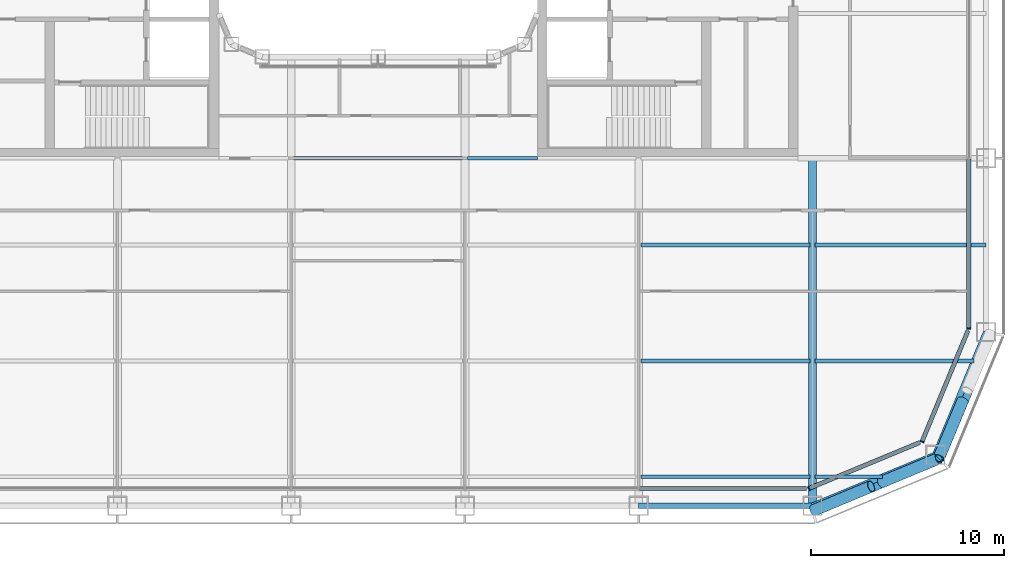
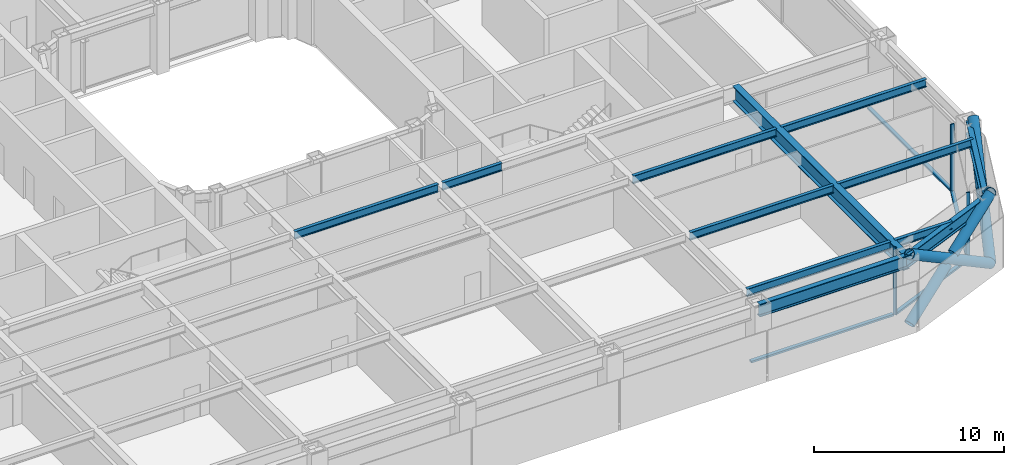
# One storey, part 4 of 29: 12 beams, 12 members, 4 elements without a shape of their own.
"""IFC4 building model written with IfcOpenShell, lengths in metres."""

from ifc_helpers import new_model, si_unit, direction, frame, origin, origin_2d, place, context, subcontext, project, spatial, rectangle, hollow_circle, i_section, extrude, material, layer, layer_set, material_profile, profile_set, type_object, element, aggregate, save


model = new_model("IFC4")

# Units and contexts
model_context = context("Model", 3, precision=1e-05, world=origin(), true_north=direction((0.0, 1.0)))
body_context = subcontext(model_context, "Body", "Model", "MODEL_VIEW")
ifc_project = project(units=[si_unit("LENGTHUNIT", "METRE"), si_unit("AREAUNIT", "SQUARE_METRE"), si_unit("VOLUMEUNIT", "CUBIC_METRE"), si_unit("PLANEANGLEUNIT", "RADIAN"), si_unit("MASSUNIT", "GRAM", prefix="KILO")], contexts=[model_context])

# Site, building, storey
site_placement = place(None, origin())
site = spatial("IfcSite", under=ifc_project, at=site_placement, CompositionType="ELEMENT")
building_placement = place(site_placement, origin())
building = spatial("IfcBuilding", under=site, at=building_placement, Name="Siwar Civic Tower", CompositionType="ELEMENT")
storey_placement = place(building_placement, frame((0.0, 0.0, 67.199951171875)))
storey = spatial("IfcBuildingStorey", under=building, at=storey_placement, Name="L14", CompositionType="ELEMENT", Elevation=67.199951171875)

# Curtain wall, member
ifc_material_1 = material(Name="Aluminium clad insulated panel", Category="aluminium")
ifc_layer_1 = layer(ifc_material_1, 0.219970703125)
ifc_layer_set_1 = layer_set([ifc_layer_1], Name="Aluminium clad insulated panel")
curtain_wall_type_1 = type_object("IfcCurtainWallType", Name="ENV-CW-AX", PredefinedType="NOTDEFINED", material=ifc_layer_set_1)
curtain_wall_1_placement = place(storey_placement, origin())
curtain_wall_1 = element("IfcCurtainWall", 1, at=curtain_wall_1_placement, inside=storey, type_object=curtain_wall_type_1, Name="Curtain wall A SE1", PredefinedType="NOTDEFINED")
ifc_material_2 = material(Name="Aluminium 6063-T6", Category="aluminium")
ifc_material_profile_1 = material_profile(ifc_material_2, rectangle(XDim=0.219970703125, YDim=0.070068359375, at=origin_2d()), Name="AL 220x70")
ifc_profile_set_1 = profile_set([ifc_material_profile_1], Name="Aluminium 6063-T6")
member_type_1 = type_object("IfcMemberType", Name="ENV-MULLION-A", PredefinedType="MULLION", material=ifc_profile_set_1)
member_1_placement = place(storey_placement, frame((22.321044921875, -30.60009765625, 0.0), z_axis=(0.0, 0.0, 1.0), x_axis=(-0.382683432365, 0.923879532511, 0.0)))
member_1 = element("IfcMember", 2, at=member_1_placement, type_object=member_type_1, Name="Mullion A SE1 1", PredefinedType="MULLION", context=body_context, shape_type="SweptSolid", body=[
    extrude(rectangle(XDim=0.219970703125, YDim=0.070068359375, at=origin_2d()), origin(), (0.0, 0.0, 1.0), 4.35009765625),
])

curtain_wall_2_placement = place(storey_placement, origin())
curtain_wall_2 = element("IfcCurtainWall", 3, at=curtain_wall_2_placement, inside=storey, type_object=curtain_wall_type_1, Name="Curtain wall A SE2", PredefinedType="NOTDEFINED")
member_2_placement = place(storey_placement, frame((28.175048828125, -28.175048828125, 0.0), z_axis=(0.0, 0.0, 1.0), x_axis=(-0.923879532511, 0.382683432365, 0.0)))
member_2 = element("IfcMember", 4, at=member_2_placement, type_object=member_type_1, Name="Mullion A SE2 1", PredefinedType="MULLION", context=body_context, shape_type="SweptSolid", body=[
    extrude(rectangle(XDim=0.219970703125, YDim=0.070068359375, at=origin_2d()), origin(), (0.0, 0.0, 1.0), 4.35009765625),
])

ifc_material_3 = material(Name="Aluminium and glass", Category="aluminium")
ifc_layer_2 = layer(ifc_material_3, 0.219970703125)
ifc_layer_set_2 = layer_set([ifc_layer_2], Name="Aluminium and glass")
curtain_wall_type_2 = type_object("IfcCurtainWallType", Name="ENV-CW-A", PredefinedType="NOTDEFINED", material=ifc_layer_set_2)
curtain_wall_3_placement = place(storey_placement, origin())
curtain_wall_3 = element("IfcCurtainWall", 5, at=curtain_wall_3_placement, inside=storey, type_object=curtain_wall_type_2, Name="Curtain wall A E", PredefinedType="NOTDEFINED")
member_3_placement = place(storey_placement, frame((30.60009765625, -22.321044921875, 0.0), z_axis=(0.0, 0.0, 1.0), x_axis=(-1.0, 0.0, 0.0)))
member_3 = element("IfcMember", 6, at=member_3_placement, type_object=member_type_1, Name="Mullion A E 1", PredefinedType="MULLION", context=body_context, shape_type="SweptSolid", body=[
    extrude(rectangle(XDim=0.219970703125, YDim=0.070068359375, at=origin_2d()), origin(), (0.0, 0.0, 1.0), 4.35009765625),
])

curtain_wall_4_placement = place(storey_placement, origin())
curtain_wall_4 = element("IfcCurtainWall", 7, at=curtain_wall_4_placement, inside=storey, type_object=curtain_wall_type_2, Name="Curtain wall A S", PredefinedType="NOTDEFINED")
ifc_material_4 = material(Name="Aluminium 6063-T6", Category="aluminium")
ifc_material_profile_2 = material_profile(ifc_material_4, rectangle(XDim=0.219970703125, YDim=0.1201171875, at=origin_2d()), Name="AL 220x120")
ifc_profile_set_2 = profile_set([ifc_material_profile_2], Name="Aluminium 6063-T6")
member_type_2 = type_object("IfcMemberType", Name="ENV-TRANSOM-A", PredefinedType="USERDEFINED", material=ifc_profile_set_2)
member_4_placement = place(storey_placement, frame((13.534912109375, -30.60009765625, 0.06005859375), z_axis=(1.0, 0.0, 0.0), x_axis=(0.0, 1.0, 0.0)))
member_4 = element("IfcMember", 8, at=member_4_placement, type_object=member_type_2, Name="Transom A S 5", ObjectType="TRANSOM", PredefinedType="USERDEFINED", context=body_context, shape_type="SweptSolid", body=[
    extrude(rectangle(XDim=0.219970703125, YDim=0.1201171875, at=origin_2d()), origin(), (0.0, 0.0, 1.0), 8.66357421875),
])
aggregate(curtain_wall_4, [member_4])

# Member
member_5_placement = place(storey_placement, frame((22.353271484375, -30.586669921875, 0.06005859375), z_axis=(0.923873326341, 0.382698415042, 0.0), x_axis=(-0.382698415042, 0.923873326341, 0.0)))
member_5 = element("IfcMember", 9, at=member_5_placement, type_object=member_type_2, Name="Transom A SE1 1", ObjectType="TRANSOM", PredefinedType="USERDEFINED", context=body_context, shape_type="SweptSolid", body=[
    extrude(rectangle(XDim=0.219970703125, YDim=0.1201171875, at=origin_2d()), origin(), (0.0, 0.0, 1.0), 6.17919921875),
])

aggregate(curtain_wall_1, [member_1, member_5])

member_6_placement = place(storey_placement, frame((28.1884765625, -28.142822265625, 0.06005859375), z_axis=(0.382698415042, 0.923873326341, 0.0), x_axis=(-0.923873326341, 0.382698415042, 0.0)))
member_6 = element("IfcMember", 10, at=member_6_placement, type_object=member_type_2, Name="Transom A SE2 1", ObjectType="TRANSOM", PredefinedType="USERDEFINED", context=body_context, shape_type="SweptSolid", body=[
    extrude(rectangle(XDim=0.219970703125, YDim=0.1201171875, at=origin_2d()), origin(), (0.0, 0.0, 1.0), 6.17919921875),
])

aggregate(curtain_wall_2, [member_2, member_6])

member_7_placement = place(storey_placement, frame((30.60009765625, -22.285888671875, 0.06005859375), z_axis=(0.0, 1.0, 0.0), x_axis=(-1.0, 0.0, 0.0)))
member_7 = element("IfcMember", 11, at=member_7_placement, type_object=member_type_2, Name="Transom A E 1", ObjectType="TRANSOM", PredefinedType="USERDEFINED", context=body_context, shape_type="SweptSolid", body=[
    extrude(rectangle(XDim=0.219970703125, YDim=0.1201171875, at=origin_2d()), origin(), (0.0, 0.0, 1.0), 8.7509765625),
])

aggregate(curtain_wall_3, [member_3, member_7])

# Members
ifc_material_5 = material(Name="Steel S355", Category="steel")
ifc_material_profile_3 = material_profile(ifc_material_5, hollow_circle(Radius=0.304931640625, WallThickness=0.030029296875, at=origin_2d()), Name="CHS610x30")
ifc_profile_set_3 = profile_set([ifc_material_profile_3], Name="Steel S355")
member_type_3 = type_object("IfcMemberType", Name="STR-BR-CHS610x30", PredefinedType="BRACE", material=ifc_profile_set_3)
member_8_placement = place(storey_placement, frame((29.040771484375, -29.040771484375, 0.0), z_axis=(0.323905527954, 0.777554562952, 0.538975055633), x_axis=(-0.923108759191, 0.384538969033, 0.0)))
element("IfcMember", 12, at=member_8_placement, inside=storey, type_object=member_type_3, Name="L14/brc/ASE1-13-0-1", PredefinedType="BRACE", context=body_context, shape_type="SweptSolid", body=[
    extrude(hollow_circle(Radius=0.304931640625, WallThickness=0.030029296875, at=origin_2d()), origin(), (0.0, 0.0, 1.0), 8.34912109375),
])
member_9_placement = place(storey_placement, frame((30.285888671875, -26.052001953125, 2.428466796875), z_axis=(-0.323934068367, -0.777568797048, 0.538937366685), x_axis=(0.923099230484, -0.384561842466, 0.0)))
element("IfcMember", 13, at=member_9_placement, inside=storey, type_object=member_type_3, Name="L14/brc/ASE1-13-0-3", PredefinedType="BRACE", context=body_context, shape_type="SweptSolid", body=[
    extrude(hollow_circle(Radius=0.304931640625, WallThickness=0.030029296875, at=origin_2d()), origin(), (0.0, 0.0, 1.0), 3.84375),
])
member_10_placement = place(storey_placement, frame((29.040771484375, -29.040771484375, 0.0), z_axis=(-0.777554562952, -0.323905527954, 0.538975055633), x_axis=(0.384538969033, -0.923108759191, 0.0)))
element("IfcMember", 14, at=member_10_placement, inside=storey, type_object=member_type_3, Name="L14/brc/ASE1-13-0-0", PredefinedType="BRACE", context=body_context, shape_type="SweptSolid", body=[
    extrude(hollow_circle(Radius=0.304931640625, WallThickness=0.030029296875, at=origin_2d()), origin(), (0.0, 0.0, 1.0), 8.34912109375),
])
member_11_placement = place(storey_placement, frame((22.548828125, -31.7451171875, 0.0), z_axis=(0.777533059308, 0.323882123145, 0.539020140617), x_axis=(-0.384524353215, 0.923114847559, 0.0)))
element("IfcMember", 15, at=member_11_placement, inside=storey, type_object=member_type_3, Name="L14/brc/ASE1-13-0-4", PredefinedType="BRACE", context=body_context, shape_type="SweptSolid", body=[
    extrude(hollow_circle(Radius=0.304931640625, WallThickness=0.030029296875, at=origin_2d()), origin(), (0.0, 0.0, 1.0), 3.843505859375),
])
member_12_placement = place(storey_placement, frame((26.052001953125, -30.285888671875, 2.428466796875), z_axis=(0.777568797048, 0.323934068367, 0.538937366685), x_axis=(-0.384561842466, 0.923099230484, 0.0)))
element("IfcMember", 16, at=member_12_placement, inside=storey, type_object=member_type_3, Name="L14/brc/ASE1-13-0-5", PredefinedType="BRACE", context=body_context, shape_type="SweptSolid", body=[
    extrude(hollow_circle(Radius=0.304931640625, WallThickness=0.030029296875, at=origin_2d()), origin(), (0.0, 0.0, 1.0), 3.84375),
])

# Beams
ifc_material_6 = material(Name="Steel S355", Category="steel")
ifc_material_profile_4 = material_profile(ifc_material_6, i_section(OverallWidth=0.199951171875, OverallDepth=0.5, WebThickness=0.01025390625, FlangeThickness=0.01611328125, FilletRadius=0.02099609375, at=origin_2d()), Name="IPE500")
ifc_profile_set_4 = profile_set([ifc_material_profile_4], Name="Steel S355")
beam_type_1 = type_object("IfcBeamType", Name="STR-FB-IPE500", PredefinedType="JOIST", material=ifc_profile_set_4)
beam_1_placement = place(storey_placement, frame((13.6298828125, -30.0, 4.10009765625), z_axis=(1.0, 0.0, 0.0), x_axis=(0.0, 1.0, 0.0)))
element("IfcBeam", 17, at=beam_1_placement, inside=storey, type_object=beam_type_1, Name="L14/bm/F006", PredefinedType="JOIST", context=body_context, shape_type="SweptSolid", body=[
    extrude(i_section(OverallWidth=0.199951171875, OverallDepth=0.5, WebThickness=0.01025390625, FlangeThickness=0.01611328125, FilletRadius=0.02099609375, at=origin_2d()), origin(), (0.0, 0.0, 1.0), 8.740234375),
])
beam_2_placement = place(storey_placement, frame((22.6298828125, -30.0, 4.10009765625), z_axis=(1.0, 0.0, 0.0), x_axis=(0.0, 1.0, 0.0)))
element("IfcBeam", 18, at=beam_2_placement, inside=storey, type_object=beam_type_1, Name="L14/bm/F007", PredefinedType="JOIST", context=body_context, shape_type="SweptSolid", body=[
    extrude(i_section(OverallWidth=0.199951171875, OverallDepth=0.5, WebThickness=0.01025390625, FlangeThickness=0.01611328125, FilletRadius=0.02099609375, at=origin_2d()), origin(), (0.0, 0.0, 1.0), 3.491455078125),
])
beam_3_placement = place(storey_placement, frame((13.6298828125, -24.0, 4.10009765625), z_axis=(1.0, 0.0, 0.0), x_axis=(0.0, 1.0, 0.0)))
element("IfcBeam", 19, at=beam_3_placement, inside=storey, type_object=beam_type_1, Name="L14/bm/F013", PredefinedType="JOIST", context=body_context, shape_type="SweptSolid", body=[
    extrude(i_section(OverallWidth=0.199951171875, OverallDepth=0.5, WebThickness=0.01025390625, FlangeThickness=0.01611328125, FilletRadius=0.02099609375, at=origin_2d()), origin(), (0.0, 0.0, 1.0), 8.740234375),
])
beam_4_placement = place(storey_placement, frame((22.6298828125, -24.0, 4.10009765625), z_axis=(1.0, 0.0, 0.0), x_axis=(0.0, 1.0, 0.0)))
element("IfcBeam", 20, at=beam_4_placement, inside=storey, type_object=beam_type_1, Name="L14/bm/F014", PredefinedType="JOIST", context=body_context, shape_type="SweptSolid", body=[
    extrude(i_section(OverallWidth=0.199951171875, OverallDepth=0.5, WebThickness=0.01025390625, FlangeThickness=0.01611328125, FilletRadius=0.02099609375, at=origin_2d()), origin(), (0.0, 0.0, 1.0), 8.248779296875),
])
beam_5_placement = place(storey_placement, frame((13.6298828125, -18.0, 4.10009765625), z_axis=(1.0, 0.0, 0.0), x_axis=(0.0, 1.0, 0.0)))
element("IfcBeam", 21, at=beam_5_placement, inside=storey, type_object=beam_type_1, Name="L14/bm/F020", PredefinedType="JOIST", context=body_context, shape_type="SweptSolid", body=[
    extrude(i_section(OverallWidth=0.199951171875, OverallDepth=0.5, WebThickness=0.01025390625, FlangeThickness=0.01611328125, FilletRadius=0.02099609375, at=origin_2d()), origin(), (0.0, 0.0, 1.0), 8.740234375),
])
beam_6_placement = place(storey_placement, frame((22.6298828125, -18.0, 4.10009765625), z_axis=(1.0, 0.0, 0.0), x_axis=(0.0, 1.0, 0.0)))
element("IfcBeam", 22, at=beam_6_placement, inside=storey, type_object=beam_type_1, Name="L14/bm/F021", PredefinedType="JOIST", context=body_context, shape_type="SweptSolid", body=[
    extrude(i_section(OverallWidth=0.199951171875, OverallDepth=0.5, WebThickness=0.01025390625, FlangeThickness=0.01611328125, FilletRadius=0.02099609375, at=origin_2d()), origin(), (0.0, 0.0, 1.0), 8.8701171875),
])
beam_7_placement = place(storey_placement, frame((-4.3701171875, -13.5, 4.10009765625), z_axis=(1.0, 0.0, 0.0), x_axis=(0.0, 1.0, 0.0)))
element("IfcBeam", 23, at=beam_7_placement, inside=storey, type_object=beam_type_1, Name="L14/bm/F026", PredefinedType="JOIST", context=body_context, shape_type="SweptSolid", body=[
    extrude(i_section(OverallWidth=0.199951171875, OverallDepth=0.5, WebThickness=0.01025390625, FlangeThickness=0.01611328125, FilletRadius=0.02099609375, at=origin_2d()), origin(), (0.0, 0.0, 1.0), 8.740234375),
])
beam_8_placement = place(storey_placement, frame((4.6298828125, -13.5, 4.10009765625), z_axis=(1.0, 0.0, 0.0), x_axis=(0.0, 1.0, 0.0)))
element("IfcBeam", 24, at=beam_8_placement, inside=storey, type_object=beam_type_1, Name="L14/bm/F027", PredefinedType="JOIST", context=body_context, shape_type="SweptSolid", body=[
    extrude(i_section(OverallWidth=0.199951171875, OverallDepth=0.5, WebThickness=0.01025390625, FlangeThickness=0.01611328125, FilletRadius=0.02099609375, at=origin_2d()), origin(), (0.0, 0.0, 1.0), 3.6201171875),
])
ifc_material_7 = material(Name="Steel S355", Category="steel")
ifc_material_profile_5 = material_profile(ifc_material_7, i_section(OverallWidth=0.39990234375, OverallDepth=1.0, WebThickness=0.01611328125, FlangeThickness=0.0400390625, at=origin_2d()), Name="PG1000x400x16x40")
ifc_profile_set_5 = profile_set([ifc_material_profile_5], Name="Steel S355")
beam_type_2 = type_object("IfcBeamType", Name="STR-PG-PG1000x400x16x40", PredefinedType="BEAM", material=ifc_profile_set_5)
beam_9_placement = place(storey_placement, frame((22.5, -31.5, 3.85009765625), z_axis=(0.0, 1.0, 0.0), x_axis=(-1.0, 0.0, 0.0)))
element("IfcBeam", 25, at=beam_9_placement, inside=storey, type_object=beam_type_2, Name="L14/bm/G11", PredefinedType="BEAM", context=body_context, shape_type="SweptSolid", body=[
    extrude(i_section(OverallWidth=0.39990234375, OverallDepth=1.0, WebThickness=0.01611328125, FlangeThickness=0.0400390625, at=origin_2d()), origin(), (0.0, 0.0, 1.0), 18.0),
])
ifc_material_8 = material(Name="Steel S355", Category="steel")
ifc_material_profile_6 = material_profile(ifc_material_8, i_section(OverallWidth=0.302978515625, OverallDepth=0.81396484375, WebThickness=0.02099609375, FlangeThickness=0.0400390625, FilletRadius=0.030029296875, at=origin_2d()), Name="HEM800")
ifc_profile_set_6 = profile_set([ifc_material_profile_6], Name="Steel S355")
beam_type_3 = type_object("IfcBeamType", Name="STR-SB-HEM800", PredefinedType="BEAM", material=ifc_profile_set_6)
beam_10_placement = place(storey_placement, frame((13.5, -31.5, 3.943115234375), z_axis=(1.0, 0.0, 0.0), x_axis=(0.0, 1.0, 0.0)))
element("IfcBeam", 26, at=beam_10_placement, inside=storey, type_object=beam_type_3, Name="L14/bm/SS-4", PredefinedType="BEAM", context=body_context, shape_type="SweptSolid", body=[
    extrude(i_section(OverallWidth=0.302978515625, OverallDepth=0.81396484375, WebThickness=0.02099609375, FlangeThickness=0.0400390625, FilletRadius=0.030029296875, at=origin_2d()), origin(), (0.0, 0.0, 1.0), 9.0),
])
for number, where, z_axis, x_axis, name in (
    (27, (22.5, -31.5, 3.943115234375), (0.923883353507, 0.382674207535, 0.0), (-0.382674207535, 0.923883353507, 0.0), "L14/bm/SSE1-0"),
    (28, (28.864013671875, -28.864013671875, 3.943115234375), (0.382674207535, 0.923883353507, 0.0), (-0.923883353507, 0.382674207535, 0.0), "L14/bm/SSE2-0"),
):
    element("IfcBeam", number, at=place(storey_placement, frame(where, z_axis=z_axis, x_axis=x_axis)), inside=storey, type_object=beam_type_3, Name=name, PredefinedType="BEAM", context=body_context, shape_type="SweptSolid", body=[
        extrude(i_section(OverallWidth=0.302978515625, OverallDepth=0.81396484375, WebThickness=0.02099609375, FlangeThickness=0.0400390625, FilletRadius=0.030029296875, at=origin_2d()), origin(), (0.0, 0.0, 1.0), 6.888427734375),
    ])

save(model, "model.ifc")
